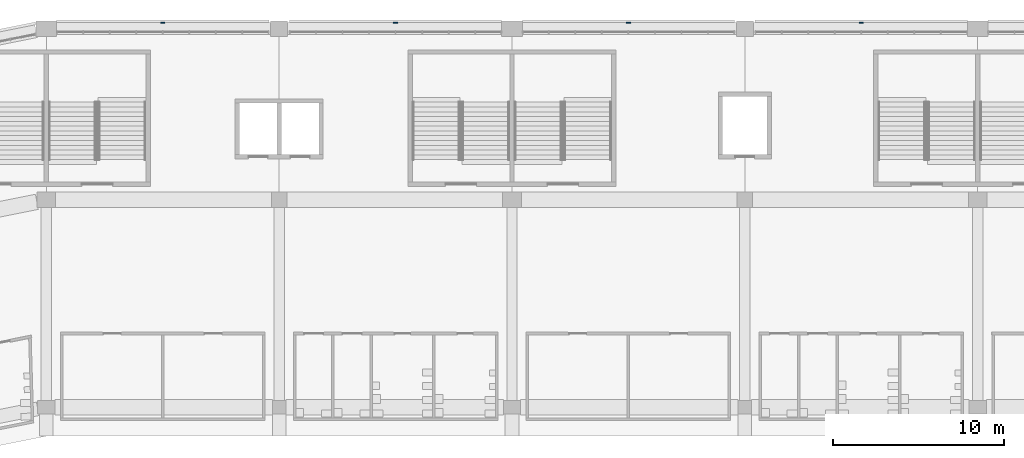
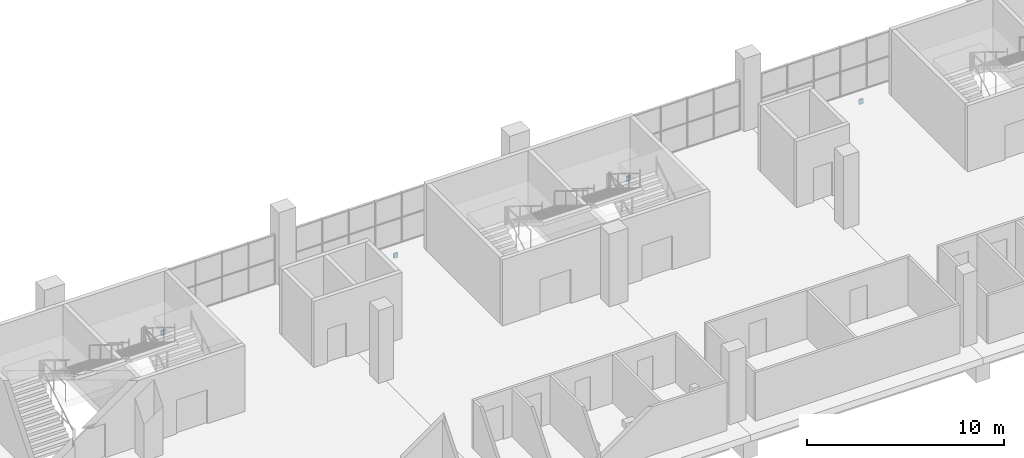
# One storey, part 101 of 199: 4 discrete accessories.
"""IFC4 building model written with IfcOpenShell, lengths in metres."""

from ifc_helpers import new_model, si_unit, direction, frame, origin, origin_2d, place, context, subcontext, project, spatial, rectangle, extrude, material, layer, layer_set, type_object, element, save


model = new_model("IFC4")

# Units and contexts
model_context = context("Model", 3, precision=1e-05, world=origin(), true_north=direction((0.0, 1.0)))
body_context = subcontext(model_context, "Body", "Model", "MODEL_VIEW")
ifc_project = project(units=[si_unit("LENGTHUNIT", "METRE"), si_unit("AREAUNIT", "SQUARE_METRE"), si_unit("VOLUMEUNIT", "CUBIC_METRE"), si_unit("PLANEANGLEUNIT", "RADIAN"), si_unit("MASSUNIT", "GRAM", prefix="KILO")], contexts=[model_context])

# Site, building, storey
site_placement = place(None, origin())
site = spatial("IfcSite", under=ifc_project, at=site_placement, CompositionType="ELEMENT")
building_placement = place(site_placement, origin())
building = spatial("IfcBuilding", under=site, at=building_placement, Name="Ogive Plaza Stadium", CompositionType="ELEMENT")
storey_placement = place(building_placement, frame((0.0, 0.0, 4.5)))
storey = spatial("IfcBuildingStorey", under=building, at=storey_placement, Name="L01", CompositionType="ELEMENT", Elevation=4.5)

# Discrete accessories
ifc_material = material(Name="Steel ASTM A572 Grade 50", Category="steel")
ifc_layer = layer(ifc_material, 0.080078125)
ifc_layer_set = layer_set([ifc_layer], Name="Steel ASTM A572 Grade 50")
discrete_accessory_type = type_object("IfcDiscreteAccessoryType", Name="Spandrel cladding bracket 250x300", PredefinedType="BRACKET", material=ifc_layer_set)
for number, where, z_axis, x_axis, name in (
    (1, (-27.199951171875, 102.85009765625, -1.31005859375), (0.0, 0.0, 1.0), (1.0, 0.0, 0.0), "SPANDREL BRACKET B32 L01"),
    (2, (-13.60009765625, 102.85009765625, -1.31005859375), (0.0, 0.0, 1.0), (1.0, 0.0, 0.0), "SPANDREL BRACKET B33 L01"),
    (3, (0.0, 102.85009765625, -1.31005859375), (0.0, 0.0, 1.0), (1.0, 0.0, 0.0), "SPANDREL BRACKET B34 L01"),
    (4, (13.60009765625, 102.85009765625, -1.31005859375), (0.0, 0.0, 1.0), (1.0, 0.0, 0.0), "SPANDREL BRACKET B35 L01"),
):
    element("IfcDiscreteAccessory", number, at=place(storey_placement, frame(where, z_axis=z_axis, x_axis=x_axis)), inside=storey, type_object=discrete_accessory_type, Name=name, PredefinedType="BRACKET", context=body_context, shape_type="SweptSolid", body=[
        extrude(rectangle(XDim=0.25, YDim=0.080078125, at=origin_2d()), origin(), (0.0, 0.0, 1.0), 0.300048828125),
    ])

save(model, "model.ifc")
